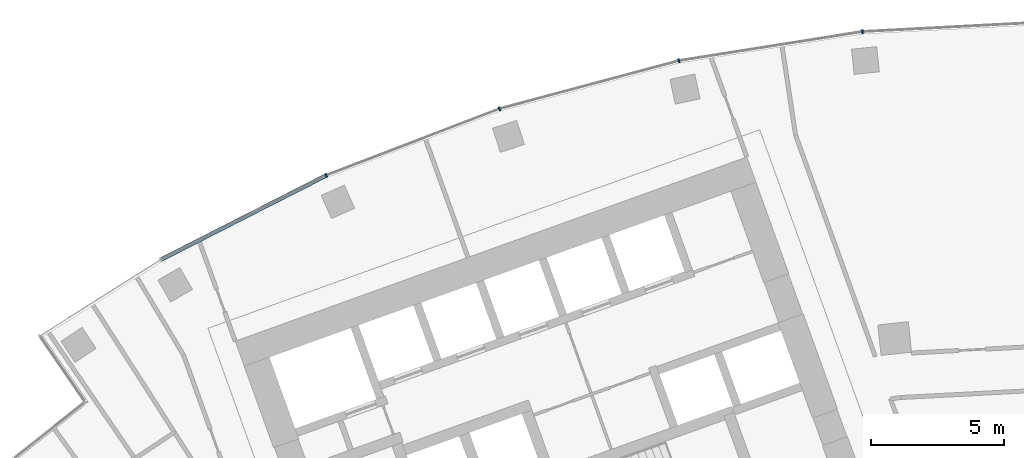
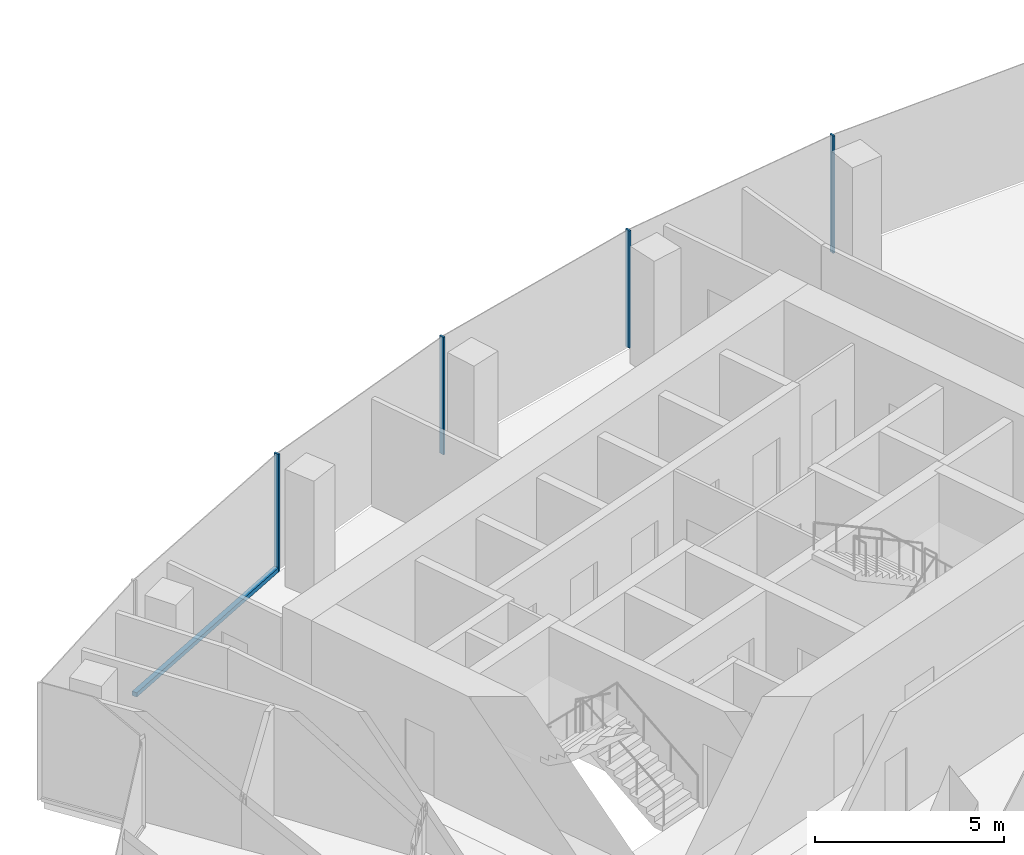
# One storey, part 5 of 17: 5 members, 1 element without a shape of its own.
"""IFC4 building model written with IfcOpenShell, lengths in metres."""

from ifc_helpers import new_model, si_unit, direction, frame, origin, origin_2d, place, context, subcontext, project, spatial, rectangle, extrude, material, layer, layer_set, material_profile, profile_set, type_object, element, aggregate, save


model = new_model("IFC4")

# Units and contexts
model_context = context("Model", 3, precision=1e-05, world=origin(), true_north=direction((0.0, 1.0)))
body_context = subcontext(model_context, "Body", "Model", "MODEL_VIEW")
ifc_project = project(units=[si_unit("LENGTHUNIT", "METRE"), si_unit("AREAUNIT", "SQUARE_METRE"), si_unit("VOLUMEUNIT", "CUBIC_METRE"), si_unit("PLANEANGLEUNIT", "RADIAN"), si_unit("MASSUNIT", "GRAM", prefix="KILO")], contexts=[model_context])

# Site, building, storey
site_placement = place(None, origin())
site = spatial("IfcSite", under=ifc_project, at=site_placement, CompositionType="ELEMENT")
building_placement = place(site_placement, origin())
building = spatial("IfcBuilding", under=site, at=building_placement, Name="Stone Belt Terrace Tower", CompositionType="ELEMENT")
storey_placement = place(building_placement, frame((0.0, 0.0, 231.39990234375)))
storey = spatial("IfcBuildingStorey", under=building, at=storey_placement, Name="L56", CompositionType="ELEMENT", Elevation=231.39990234375)

# Curtain wall, members
ifc_material = material(Name="Aluminium 6063-T6 anodised frame", Category="aluminium")
ifc_layer = layer(ifc_material, 0.14990234375)
ifc_layer_set = layer_set([ifc_layer], Name="CW-A unitised convex-face curtain wall")
curtain_wall_type = type_object("IfcCurtainWallType", Name="CW-A unitised convex-face curtain wall", PredefinedType="NOTDEFINED", material=ifc_layer_set)
curtain_wall_placement = place(storey_placement, origin())
curtain_wall = element("IfcCurtainWall", 1, at=curtain_wall_placement, inside=storey, type_object=curtain_wall_type, Name="CW-A convex face L56", PredefinedType="NOTDEFINED")
ifc_material_profile_1 = material_profile(ifc_material, rectangle(XDim=0.14990234375, YDim=0.06005859375, at=origin_2d()), Name="Aluminium 6063-T6 60x150")
ifc_profile_set_1 = profile_set([ifc_material_profile_1], Name="Aluminium 6063-T6 anodised frame")
member_type_1 = type_object("IfcMemberType", Name="CW-A mullion 60 x 150", PredefinedType="MULLION", material=ifc_profile_set_1)
member_1_placement = place(storey_placement, frame((-6.958984375, 66.21044921875, 0.0), z_axis=(0.0, 0.0, 1.0), x_axis=(0.104528463268, -0.994521895368, 0.0)))
member_1 = element("IfcMember", 2, at=member_1_placement, type_object=member_type_1, Name="CW-A mullion 10", PredefinedType="MULLION", context=body_context, shape_type="SweptSolid", body=[
    extrude(rectangle(XDim=0.14990234375, YDim=0.06005859375, at=origin_2d()), origin(), (0.0, 0.0, 1.0), 3.800048828125),
])
member_2_placement = place(storey_placement, frame((-13.841796875, 65.120361328125, 0.0), z_axis=(0.0, 0.0, 1.0), x_axis=(0.207911690818, -0.978147600734, 0.0)))
member_2 = element("IfcMember", 3, at=member_2_placement, type_object=member_type_1, Name="CW-A mullion 11", PredefinedType="MULLION", context=body_context, shape_type="SweptSolid", body=[
    extrude(rectangle(XDim=0.14990234375, YDim=0.06005859375, at=origin_2d()), origin(), (0.0, 0.0, 1.0), 3.800048828125),
])
member_3_placement = place(storey_placement, frame((-20.57275390625, 63.316650390625, 0.0), z_axis=(0.0, 0.0, 1.0), x_axis=(0.309016994375, -0.951056516295, 0.0)))
member_3 = element("IfcMember", 4, at=member_3_placement, type_object=member_type_1, Name="CW-A mullion 12", PredefinedType="MULLION", context=body_context, shape_type="SweptSolid", body=[
    extrude(rectangle(XDim=0.14990234375, YDim=0.06005859375, at=origin_2d()), origin(), (0.0, 0.0, 1.0), 3.800048828125),
])
member_4_placement = place(storey_placement, frame((-27.07861328125, 60.8193359375, 0.0), z_axis=(0.0, 0.0, 1.0), x_axis=(0.406736643076, -0.913545457643, 0.0)))
member_4 = element("IfcMember", 5, at=member_4_placement, type_object=member_type_1, Name="CW-A mullion 13", PredefinedType="MULLION", context=body_context, shape_type="SweptSolid", body=[
    extrude(rectangle(XDim=0.14990234375, YDim=0.06005859375, at=origin_2d()), origin(), (0.0, 0.0, 1.0), 3.800048828125),
])
ifc_material_profile_2 = material_profile(ifc_material, rectangle(XDim=0.14990234375, YDim=0.139892578125, at=origin_2d()), Name="Aluminium 6063-T6 150x140")
ifc_profile_set_2 = profile_set([ifc_material_profile_2], Name="Aluminium 6063-T6 anodised frame")
member_type_2 = type_object("IfcMemberType", Name="CW-A transom 140 x 150", PredefinedType="USERDEFINED", material=ifc_profile_set_2)
member_5_placement = place(storey_placement, frame((-27.108642578125, 60.803955078125, 0.070068359375), z_axis=(-0.891012226264, -0.453979308613, 0.0), x_axis=(0.453979308613, -0.891012226264, 0.0)))
member_5 = element("IfcMember", 6, at=member_5_placement, type_object=member_type_2, Name="CW-A transom 13.1", ObjectType="TRANSOM", PredefinedType="USERDEFINED", context=body_context, shape_type="SweptSolid", body=[
    extrude(rectangle(XDim=0.14990234375, YDim=0.139892578125, at=origin_2d()), origin(), (0.0, 0.0, 1.0), 6.90087890625),
])
aggregate(curtain_wall, [member_1, member_2, member_3, member_4, member_5])

save(model, "model.ifc")
